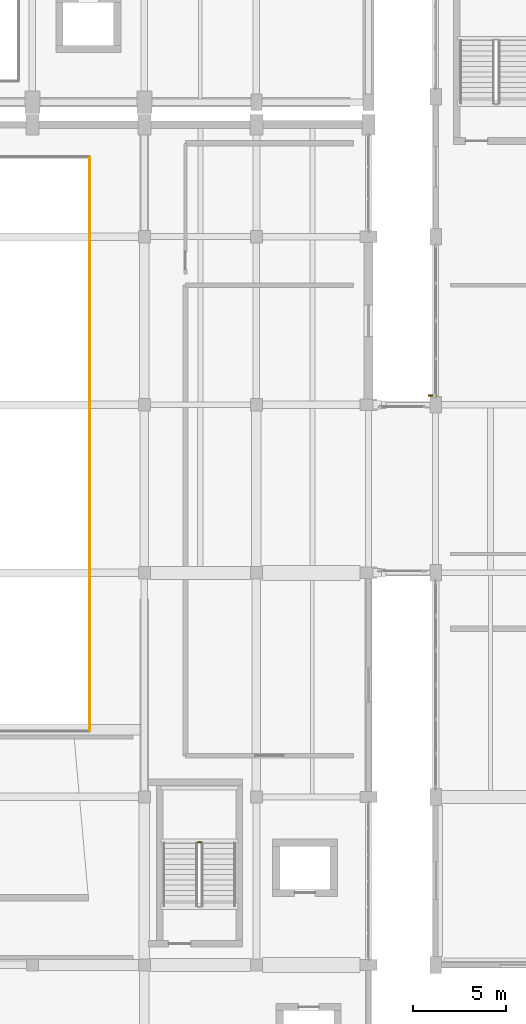
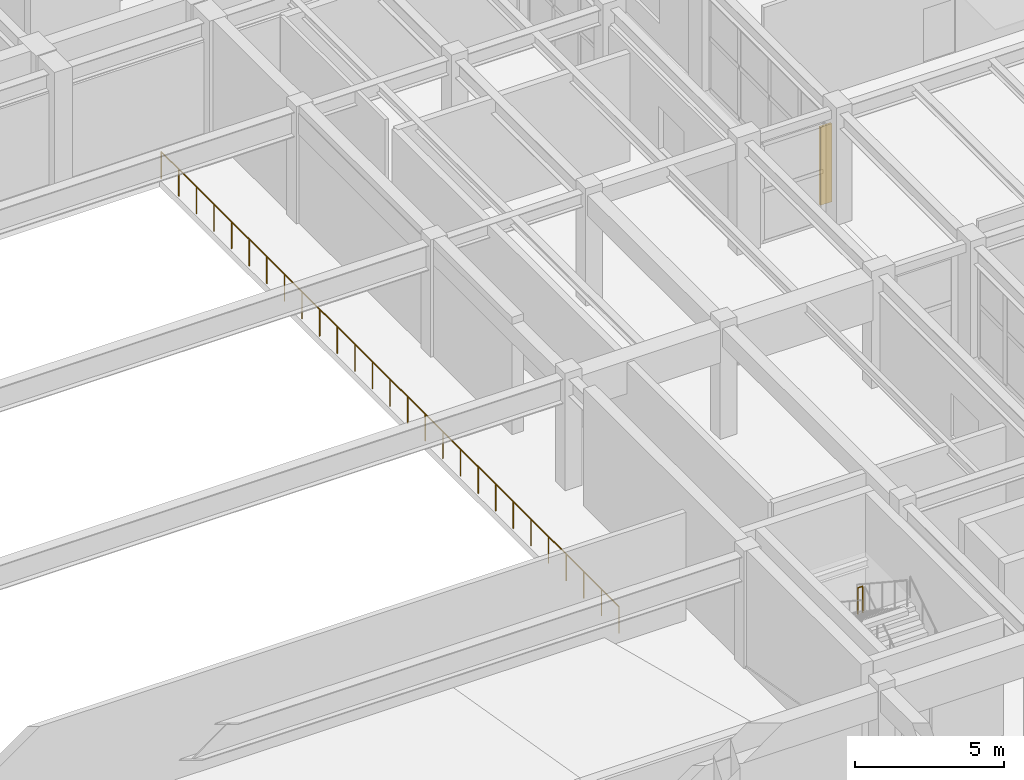
# One storey, part 79 of 85: 2 railings, 1 shading device.
"""IFC4 building model written with IfcOpenShell, lengths in metres."""

from ifc_helpers import new_model, si_unit, direction, frame, origin, origin_2d, place, context, subcontext, project, spatial, rectangle, circle, extrude, material, type_object, element, save


model = new_model("IFC4")

# Units and contexts
model_context = context("Model", 3, precision=1e-05, world=origin(), true_north=direction((0.0, 1.0)))
body_context = subcontext(model_context, "Body", "Model", "MODEL_VIEW")
ifc_project = project(units=[si_unit("LENGTHUNIT", "METRE"), si_unit("AREAUNIT", "SQUARE_METRE"), si_unit("VOLUMEUNIT", "CUBIC_METRE"), si_unit("PLANEANGLEUNIT", "RADIAN"), si_unit("MASSUNIT", "GRAM", prefix="KILO")], contexts=[model_context])

# Site, building, storey
site_placement = place(None, origin())
site = spatial("IfcSite", under=ifc_project, at=site_placement, CompositionType="ELEMENT")
building_placement = place(site_placement, origin())
building = spatial("IfcBuilding", under=site, at=building_placement, Name="Vaelkrest Opera House", CompositionType="ELEMENT")
storey_placement = place(building_placement, frame((0.0, 0.0, 10.199951171875)))
storey = spatial("IfcBuildingStorey", under=building, at=storey_placement, Name="L02", CompositionType="ELEMENT", Elevation=10.199951171875)

# Railing
ifc_material = material(Name="Dark bronze anodized aluminium", Category="aluminium")
railing_type_1 = type_object("IfcRailingType", Name="BL01", PredefinedType="BALUSTRADE", material=ifc_material)
railing_1_placement = place(storey_placement, frame((15.080078125, -16.239990234375, 0.0)))
element("IfcRailing", 1, at=railing_1_placement, inside=storey, type_object=railing_type_1, Name="Atrium/stage void guard V1 L02-1 seg 2", PredefinedType="BALUSTRADE", context=body_context, shape_type="SweptSolid", body=[
    extrude(circle(Radius=0.02392578125, at=origin_2d()), frame((0.0, 0.0, 1.09619140625), z_axis=(0.0, 1.0, 0.0), x_axis=(-1.0, 0.0, 0.0)), (0.0, 0.0, 1.0), 30.679931640625),
    extrude(circle(Radius=0.02099609375, at=origin_2d()), origin(), (0.0, 0.0, 1.0), 1.072021484375),
    extrude(circle(Radius=0.02099609375, at=origin_2d()), frame((0.0, 1.179931640625, 0.0)), (0.0, 0.0, 1.0), 1.072021484375),
    extrude(circle(Radius=0.02099609375, at=origin_2d()), frame((0.0, 2.360107421875, 0.0)), (0.0, 0.0, 1.0), 1.072021484375),
    extrude(circle(Radius=0.02099609375, at=origin_2d()), frame((0.0, 3.5400390625, 0.0)), (0.0, 0.0, 1.0), 1.072021484375),
    extrude(circle(Radius=0.02099609375, at=origin_2d()), frame((0.0, 4.719970703125, 0.0)), (0.0, 0.0, 1.0), 1.072021484375),
    extrude(circle(Radius=0.02099609375, at=origin_2d()), frame((0.0, 5.89990234375, 0.0)), (0.0, 0.0, 1.0), 1.072021484375),
    extrude(circle(Radius=0.02099609375, at=origin_2d()), frame((0.0, 7.080078125, 0.0)), (0.0, 0.0, 1.0), 1.072021484375),
    extrude(circle(Radius=0.02099609375, at=origin_2d()), frame((0.0, 8.260009765625, 0.0)), (0.0, 0.0, 1.0), 1.072021484375),
    extrude(circle(Radius=0.02099609375, at=origin_2d()), frame((0.0, 9.43994140625, 0.0)), (0.0, 0.0, 1.0), 1.072021484375),
    extrude(circle(Radius=0.02099609375, at=origin_2d()), frame((0.0, 10.619873046875, 0.0)), (0.0, 0.0, 1.0), 1.072021484375),
    extrude(circle(Radius=0.02099609375, at=origin_2d()), frame((0.0, 11.800048828125, 0.0)), (0.0, 0.0, 1.0), 1.072021484375),
    extrude(circle(Radius=0.02099609375, at=origin_2d()), frame((0.0, 12.97998046875, 0.0)), (0.0, 0.0, 1.0), 1.072021484375),
    extrude(circle(Radius=0.02099609375, at=origin_2d()), frame((0.0, 14.159912109375, 0.0)), (0.0, 0.0, 1.0), 1.072021484375),
    extrude(circle(Radius=0.02099609375, at=origin_2d()), frame((0.0, 15.33984375, 0.0)), (0.0, 0.0, 1.0), 1.072021484375),
    extrude(circle(Radius=0.02099609375, at=origin_2d()), frame((0.0, 16.52001953125, 0.0)), (0.0, 0.0, 1.0), 1.072021484375),
    extrude(circle(Radius=0.02099609375, at=origin_2d()), frame((0.0, 17.699951171875, 0.0)), (0.0, 0.0, 1.0), 1.072021484375),
    extrude(circle(Radius=0.02099609375, at=origin_2d()), frame((0.0, 18.8798828125, 0.0)), (0.0, 0.0, 1.0), 1.072021484375),
    extrude(circle(Radius=0.02099609375, at=origin_2d()), frame((0.0, 20.06005859375, 0.0)), (0.0, 0.0, 1.0), 1.072021484375),
    extrude(circle(Radius=0.02099609375, at=origin_2d()), frame((0.0, 21.239990234375, 0.0)), (0.0, 0.0, 1.0), 1.072021484375),
    extrude(circle(Radius=0.02099609375, at=origin_2d()), frame((0.0, 22.419921875, 0.0)), (0.0, 0.0, 1.0), 1.072021484375),
    extrude(circle(Radius=0.02099609375, at=origin_2d()), frame((0.0, 23.599853515625, 0.0)), (0.0, 0.0, 1.0), 1.072021484375),
    extrude(circle(Radius=0.02099609375, at=origin_2d()), frame((0.0, 24.780029296875, 0.0)), (0.0, 0.0, 1.0), 1.072021484375),
    extrude(circle(Radius=0.02099609375, at=origin_2d()), frame((0.0, 25.9599609375, 0.0)), (0.0, 0.0, 1.0), 1.072021484375),
    extrude(circle(Radius=0.02099609375, at=origin_2d()), frame((0.0, 27.139892578125, 0.0)), (0.0, 0.0, 1.0), 1.072021484375),
    extrude(circle(Radius=0.02099609375, at=origin_2d()), frame((0.0, 28.31982421875, 0.0)), (0.0, 0.0, 1.0), 1.072021484375),
    extrude(circle(Radius=0.02099609375, at=origin_2d()), frame((0.0, 29.5, 0.0)), (0.0, 0.0, 1.0), 1.072021484375),
    extrude(circle(Radius=0.02099609375, at=origin_2d()), frame((0.0, 30.679931640625, 0.0)), (0.0, 0.0, 1.0), 1.072021484375),
])

# Shading device
shading_device_type = type_object("IfcShadingDeviceType", Name="FIN01", PredefinedType="USERDEFINED", material=ifc_material)
shading_device_placement = place(storey_placement, frame((33.419921875, 1.68310546875, 0.31396484375), z_axis=(0.0, 0.0, 1.0), x_axis=(-1.0, 0.0, 0.0)))
element("IfcShadingDevice", 2, at=shading_device_placement, inside=storey, type_object=shading_device_type, Name="Bronze vertical facade fin 20", ObjectType="FIN", PredefinedType="USERDEFINED", context=body_context, shape_type="SweptSolid", body=[
    extrude(rectangle(XDim=0.449951171875, YDim=0.080078125, at=origin_2d()), origin(), (0.0, 0.0, 1.0), 3.199951171875),
])

# Railing
railing_type_2 = type_object("IfcRailingType", Name="GR02", PredefinedType="GUARDRAIL", material=ifc_material)
railing_2_placement = place(storey_placement, frame((21.050048828125, -22.239990234375, 2.400146484375)))
element("IfcRailing", 3, at=railing_2_placement, inside=storey, type_object=railing_type_2, Name="L02 ST02 stair guard 2", PredefinedType="GUARDRAIL", context=body_context, shape_type="SweptSolid", body=[
    extrude(circle(Radius=0.02392578125, at=origin_2d()), frame((0.0, 0.0, 1.076171875), z_axis=(-1.0, 0.0, 0.0), x_axis=(0.0, -1.0, 0.0)), (0.0, 0.0, 1.0), 0.199951171875),
    extrude(circle(Radius=0.02099609375, at=origin_2d()), origin(), (0.0, 0.0, 1.0), 1.052001953125),
    extrude(circle(Radius=0.02099609375, at=origin_2d()), frame((-0.199951171875, 0.0, 0.0)), (0.0, 0.0, 1.0), 1.052001953125),
])

save(model, "model.ifc")
